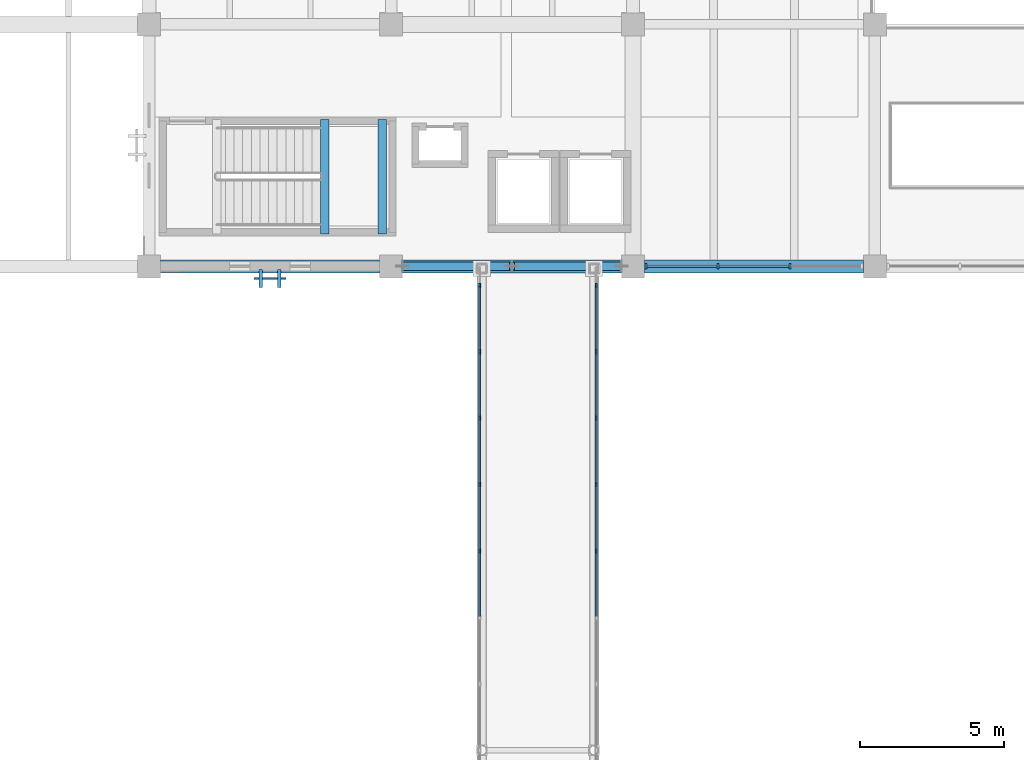
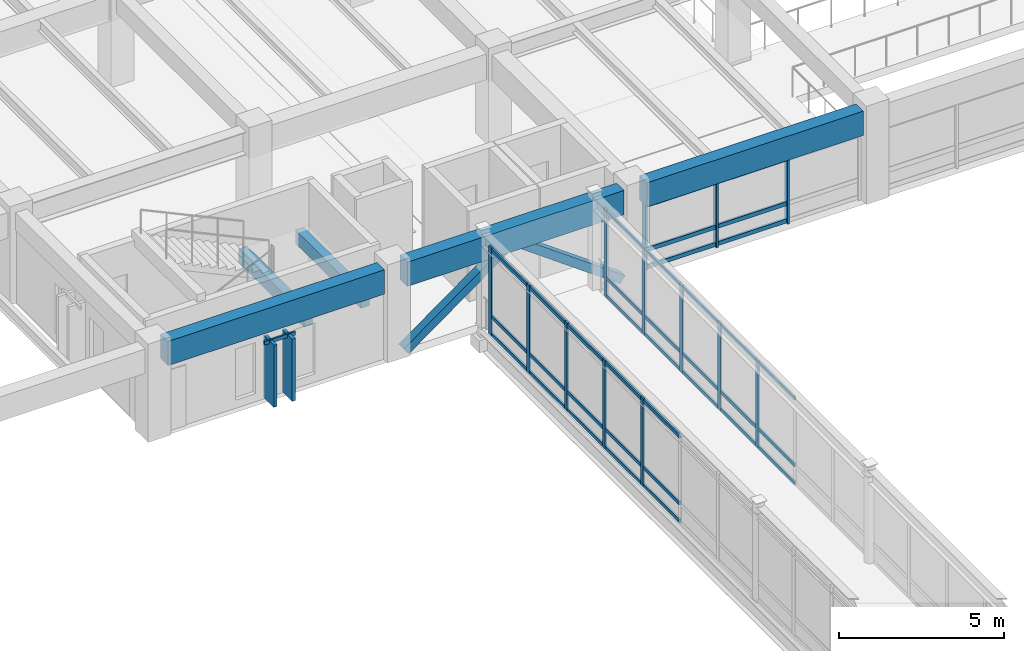
# One storey, part 35 of 118: 54 members, 5 beams, 4 elements without a shape of their own.
"""IFC4 building model written with IfcOpenShell, lengths in metres."""

from ifc_helpers import new_model, si_unit, direction, frame, origin, origin_2d, place, context, subcontext, project, spatial, rectangle, hollow_rectangle, extrude, material, material_profile, profile_set, type_object, element, aggregate, save


model = new_model("IFC4")

# Units and contexts
model_context = context("Model", 3, precision=1e-05, world=origin(), true_north=direction((0.0, 1.0)))
body_context = subcontext(model_context, "Body", "Model", "MODEL_VIEW")
ifc_project = project(units=[si_unit("LENGTHUNIT", "METRE"), si_unit("AREAUNIT", "SQUARE_METRE"), si_unit("VOLUMEUNIT", "CUBIC_METRE"), si_unit("PLANEANGLEUNIT", "RADIAN"), si_unit("MASSUNIT", "GRAM", prefix="KILO")], contexts=[model_context])

# Site, building, storey
site_placement = place(None, origin())
site = spatial("IfcSite", under=ifc_project, at=site_placement, CompositionType="ELEMENT")
building_placement = place(site_placement, origin())
building = spatial("IfcBuilding", under=site, at=building_placement, Name="Cumbredor Promenade Congress Hotel", CompositionType="ELEMENT")
storey_placement = place(building_placement, frame((0.0, 0.0, 3.919921875)))
storey = spatial("IfcBuildingStorey", under=building, at=storey_placement, Name="L01", CompositionType="ELEMENT", Elevation=3.919921875)

# Curtain wall, members
ifc_material_1 = material(Name="Thermally broken anodized aluminium and low-E glass", Category="aluminium")
curtain_wall_type_1 = type_object("IfcCurtainWallType", Name="Unitised Bridge Glazing Screen CW-05", PredefinedType="NOTDEFINED", material=ifc_material_1)
curtain_wall_1_placement = place(storey_placement, origin())
curtain_wall_1 = element("IfcCurtainWall", 1, at=curtain_wall_1_placement, inside=storey, type_object=curtain_wall_type_1, Name="L01 Central Reflecting-Pool Promenade Bridge West Glazing Screen", PredefinedType="NOTDEFINED")
ifc_material_2 = material(Name="Thermally broken anodized aluminium", Category="aluminium")
ifc_material_profile_1 = material_profile(ifc_material_2, rectangle(XDim=0.06494140625, YDim=0.159912109375, at=origin_2d()), Name="ALU MULLION 65x160")
ifc_profile_set_1 = profile_set([ifc_material_profile_1], Name="Thermally broken anodized aluminium")
member_type_1 = type_object("IfcMemberType", Name="Curtain Wall Mullion ML-01", PredefinedType="MULLION", material=ifc_profile_set_1)
member_1_placement = place(storey_placement, frame((103.8798828125, 74.1171875, -0.0078125), z_axis=(0.0, 0.0, 1.0), x_axis=(1.0, 0.0, 0.0)))
member_1 = element("IfcMember", 2, at=member_1_placement, type_object=member_type_1, Name="L01 Central Reflecting-Pool Promenade Bridge West Glazing Screen Mullion 11", PredefinedType="MULLION", context=body_context, shape_type="SweptSolid", body=[
    extrude(rectangle(XDim=0.06494140625, YDim=0.159912109375, at=origin_2d()), origin(), (0.0, 0.0, 1.0), 3.27587890625),
])
member_2_placement = place(storey_placement, frame((103.8798828125, 76.4228515625, -0.0078125), z_axis=(0.0, 0.0, 1.0), x_axis=(1.0, 0.0, 0.0)))
member_2 = element("IfcMember", 3, at=member_2_placement, type_object=member_type_1, Name="L01 Central Reflecting-Pool Promenade Bridge West Glazing Screen Mullion 12", PredefinedType="MULLION", context=body_context, shape_type="SweptSolid", body=[
    extrude(rectangle(XDim=0.06494140625, YDim=0.159912109375, at=origin_2d()), origin(), (0.0, 0.0, 1.0), 3.27587890625),
])
member_3_placement = place(storey_placement, frame((103.8798828125, 78.728515625, -0.0078125), z_axis=(0.0, 0.0, 1.0), x_axis=(1.0, 0.0, 0.0)))
member_3 = element("IfcMember", 4, at=member_3_placement, type_object=member_type_1, Name="L01 Central Reflecting-Pool Promenade Bridge West Glazing Screen Mullion 13", PredefinedType="MULLION", context=body_context, shape_type="SweptSolid", body=[
    extrude(rectangle(XDim=0.06494140625, YDim=0.159912109375, at=origin_2d()), origin(), (0.0, 0.0, 1.0), 3.27587890625),
])
member_4_placement = place(storey_placement, frame((103.8798828125, 81.0341796875, -0.0078125), z_axis=(0.0, 0.0, 1.0), x_axis=(1.0, 0.0, 0.0)))
member_4 = element("IfcMember", 5, at=member_4_placement, type_object=member_type_1, Name="L01 Central Reflecting-Pool Promenade Bridge West Glazing Screen Mullion 14", PredefinedType="MULLION", context=body_context, shape_type="SweptSolid", body=[
    extrude(rectangle(XDim=0.06494140625, YDim=0.159912109375, at=origin_2d()), origin(), (0.0, 0.0, 1.0), 3.27587890625),
])
member_5_placement = place(storey_placement, frame((103.8798828125, 83.340087890625, -0.0078125), z_axis=(0.0, 0.0, 1.0), x_axis=(1.0, 0.0, 0.0)))
member_5 = element("IfcMember", 6, at=member_5_placement, type_object=member_type_1, Name="L01 Central Reflecting-Pool Promenade Bridge West Glazing Screen Mullion 15", PredefinedType="MULLION", context=body_context, shape_type="SweptSolid", body=[
    extrude(rectangle(XDim=0.06494140625, YDim=0.159912109375, at=origin_2d()), origin(), (0.0, 0.0, 1.0), 3.27587890625),
])

curtain_wall_2_placement = place(storey_placement, origin())
curtain_wall_2 = element("IfcCurtainWall", 7, at=curtain_wall_2_placement, inside=storey, type_object=curtain_wall_type_1, Name="L01 Central Reflecting-Pool Promenade Bridge East Glazing Screen", PredefinedType="NOTDEFINED")
member_6_placement = place(storey_placement, frame((107.919921875, 74.1171875, -0.0078125), z_axis=(0.0, 0.0, 1.0), x_axis=(1.0, 0.0, 0.0)))
member_6 = element("IfcMember", 8, at=member_6_placement, type_object=member_type_1, Name="L01 Central Reflecting-Pool Promenade Bridge East Glazing Screen Mullion 11", PredefinedType="MULLION", context=body_context, shape_type="SweptSolid", body=[
    extrude(rectangle(XDim=0.06494140625, YDim=0.159912109375, at=origin_2d()), origin(), (0.0, 0.0, 1.0), 3.27587890625),
])
member_7_placement = place(storey_placement, frame((107.919921875, 76.4228515625, -0.0078125), z_axis=(0.0, 0.0, 1.0), x_axis=(1.0, 0.0, 0.0)))
member_7 = element("IfcMember", 9, at=member_7_placement, type_object=member_type_1, Name="L01 Central Reflecting-Pool Promenade Bridge East Glazing Screen Mullion 12", PredefinedType="MULLION", context=body_context, shape_type="SweptSolid", body=[
    extrude(rectangle(XDim=0.06494140625, YDim=0.159912109375, at=origin_2d()), origin(), (0.0, 0.0, 1.0), 3.27587890625),
])
member_8_placement = place(storey_placement, frame((107.919921875, 78.728515625, -0.0078125), z_axis=(0.0, 0.0, 1.0), x_axis=(1.0, 0.0, 0.0)))
member_8 = element("IfcMember", 10, at=member_8_placement, type_object=member_type_1, Name="L01 Central Reflecting-Pool Promenade Bridge East Glazing Screen Mullion 13", PredefinedType="MULLION", context=body_context, shape_type="SweptSolid", body=[
    extrude(rectangle(XDim=0.06494140625, YDim=0.159912109375, at=origin_2d()), origin(), (0.0, 0.0, 1.0), 3.27587890625),
])
member_9_placement = place(storey_placement, frame((107.919921875, 81.0341796875, -0.0078125), z_axis=(0.0, 0.0, 1.0), x_axis=(1.0, 0.0, 0.0)))
member_9 = element("IfcMember", 11, at=member_9_placement, type_object=member_type_1, Name="L01 Central Reflecting-Pool Promenade Bridge East Glazing Screen Mullion 14", PredefinedType="MULLION", context=body_context, shape_type="SweptSolid", body=[
    extrude(rectangle(XDim=0.06494140625, YDim=0.159912109375, at=origin_2d()), origin(), (0.0, 0.0, 1.0), 3.27587890625),
])
member_10_placement = place(storey_placement, frame((107.919921875, 83.340087890625, -0.0078125), z_axis=(0.0, 0.0, 1.0), x_axis=(1.0, 0.0, 0.0)))
member_10 = element("IfcMember", 12, at=member_10_placement, type_object=member_type_1, Name="L01 Central Reflecting-Pool Promenade Bridge East Glazing Screen Mullion 15", PredefinedType="MULLION", context=body_context, shape_type="SweptSolid", body=[
    extrude(rectangle(XDim=0.06494140625, YDim=0.159912109375, at=origin_2d()), origin(), (0.0, 0.0, 1.0), 3.27587890625),
])

curtain_wall_type_2 = type_object("IfcCurtainWallType", Name="Unitised Forum Curtain Wall CW-02", PredefinedType="NOTDEFINED", material=ifc_material_1)
curtain_wall_3_placement = place(storey_placement, origin())
curtain_wall_3 = element("IfcCurtainWall", 13, at=curtain_wall_3_placement, inside=storey, type_object=curtain_wall_type_2, Name="L01 Pre-Function and Breakout Meeting Forum South Curtain Wall 3", PredefinedType="NOTDEFINED")
ifc_material_profile_2 = material_profile(ifc_material_2, rectangle(XDim=0.074951171875, YDim=0.199951171875, at=origin_2d()), Name="ALU MULLION 75x200")
ifc_profile_set_2 = profile_set([ifc_material_profile_2], Name="Thermally broken anodized aluminium")
member_type_2 = type_object("IfcMemberType", Name="Curtain Wall Mullion ML-02", PredefinedType="MULLION", material=ifc_profile_set_2)
member_11_placement = place(storey_placement, frame((109.655029296875, 84.0, -0.0078125), z_axis=(0.0, 0.0, 1.0), x_axis=(1.0, 0.0, 0.0)))
member_11 = element("IfcMember", 14, at=member_11_placement, type_object=member_type_2, Name="L01 Pre-Function and Breakout Meeting Forum South Curtain Wall 3 Mullion 1", PredefinedType="MULLION", context=body_context, shape_type="SweptSolid", body=[
    extrude(rectangle(XDim=0.074951171875, YDim=0.199951171875, at=origin_2d()), origin(), (0.0, 0.0, 1.0), 2.4609375),
])
member_12_placement = place(storey_placement, frame((112.151611328125, 84.0, -0.0078125), z_axis=(0.0, 0.0, 1.0), x_axis=(1.0, 0.0, 0.0)))
member_12 = element("IfcMember", 15, at=member_12_placement, type_object=member_type_2, Name="L01 Pre-Function and Breakout Meeting Forum South Curtain Wall 3 Mullion 2", PredefinedType="MULLION", context=body_context, shape_type="SweptSolid", body=[
    extrude(rectangle(XDim=0.074951171875, YDim=0.199951171875, at=origin_2d()), origin(), (0.0, 0.0, 1.0), 2.4609375),
])
member_13_placement = place(storey_placement, frame((114.648193359375, 84.0, -0.0078125), z_axis=(0.0, 0.0, 1.0), x_axis=(1.0, 0.0, 0.0)))
member_13 = element("IfcMember", 16, at=member_13_placement, type_object=member_type_2, Name="L01 Pre-Function and Breakout Meeting Forum South Curtain Wall 3 Mullion 3", PredefinedType="MULLION", context=body_context, shape_type="SweptSolid", body=[
    extrude(rectangle(XDim=0.074951171875, YDim=0.199951171875, at=origin_2d()), origin(), (0.0, 0.0, 1.0), 2.4609375),
])

# Curtain wall, member
curtain_wall_type_3 = type_object("IfcCurtainWallType", Name="Solar Brise-Soleil Screen Assembly CW-07", PredefinedType="NOTDEFINED", material=ifc_material_1)
curtain_wall_4_placement = place(storey_placement, origin())
curtain_wall_4 = element("IfcCurtainWall", 17, at=curtain_wall_4_placement, inside=storey, type_object=curtain_wall_type_3, Name="L01 Pier Brise-Soleil Screen 0226", PredefinedType="NOTDEFINED")
ifc_material_profile_3 = material_profile(ifc_material_2, rectangle(XDim=0.06494140625, YDim=0.1298828125, at=origin_2d()), Name="ALU TRANSOM 65x130")
ifc_profile_set_3 = profile_set([ifc_material_profile_3], Name="Thermally broken anodized aluminium")
member_type_3 = type_object("IfcMemberType", Name="Curtain Wall Transom TR-01", PredefinedType="USERDEFINED", material=ifc_profile_set_3)
member_14_placement = place(storey_placement, frame((96.050048828125, 83.577392578125, 2.28515625), z_axis=(1.0, 0.0, 0.0), x_axis=(0.0, 1.0, 0.0)))
member_14 = element("IfcMember", 18, at=member_14_placement, type_object=member_type_3, Name="L01 Pier Brise-Soleil Header 0228", ObjectType="TRANSOM", PredefinedType="USERDEFINED", context=body_context, shape_type="SweptSolid", body=[
    extrude(rectangle(XDim=0.06494140625, YDim=0.1298828125, at=origin_2d()), origin(), (0.0, 0.0, 1.0), 1.099853515625),
])

# Member
member_15_placement = place(storey_placement, frame((103.8798828125, 71.843994140625, 0.06005859375), z_axis=(0.0, 1.0, 0.0), x_axis=(-1.0, 0.0, 0.0)))
member_15 = element("IfcMember", 19, at=member_15_placement, type_object=member_type_3, Name="L01 Central Reflecting-Pool Promenade Bridge West Glazing Screen Transom 10.1", ObjectType="TRANSOM", PredefinedType="USERDEFINED", context=body_context, shape_type="SweptSolid", body=[
    extrude(rectangle(XDim=0.06494140625, YDim=0.1298828125, at=origin_2d()), origin(), (0.0, 0.0, 1.0), 2.24072265625),
])

member_16_placement = place(storey_placement, frame((103.8798828125, 71.843994140625, 0.719970703125), z_axis=(0.0, 1.0, 0.0), x_axis=(-1.0, 0.0, 0.0)))
member_16 = element("IfcMember", 20, at=member_16_placement, type_object=member_type_3, Name="L01 Central Reflecting-Pool Promenade Bridge West Glazing Screen Transom 10.2", ObjectType="TRANSOM", PredefinedType="USERDEFINED", context=body_context, shape_type="SweptSolid", body=[
    extrude(rectangle(XDim=0.06494140625, YDim=0.1298828125, at=origin_2d()), origin(), (0.0, 0.0, 1.0), 2.24072265625),
])

member_17_placement = place(storey_placement, frame((103.8798828125, 71.843994140625, 3.190185546875), z_axis=(0.0, 1.0, 0.0), x_axis=(-1.0, 0.0, 0.0)))
member_17 = element("IfcMember", 21, at=member_17_placement, type_object=member_type_3, Name="L01 Central Reflecting-Pool Promenade Bridge West Glazing Screen Transom 10.3", ObjectType="TRANSOM", PredefinedType="USERDEFINED", context=body_context, shape_type="SweptSolid", body=[
    extrude(rectangle(XDim=0.06494140625, YDim=0.1298828125, at=origin_2d()), origin(), (0.0, 0.0, 1.0), 2.24072265625),
])

member_18_placement = place(storey_placement, frame((103.8798828125, 74.149658203125, 0.06005859375), z_axis=(0.0, 1.0, 0.0), x_axis=(-1.0, 0.0, 0.0)))
member_18 = element("IfcMember", 22, at=member_18_placement, type_object=member_type_3, Name="L01 Central Reflecting-Pool Promenade Bridge West Glazing Screen Transom 11.1", ObjectType="TRANSOM", PredefinedType="USERDEFINED", context=body_context, shape_type="SweptSolid", body=[
    extrude(rectangle(XDim=0.06494140625, YDim=0.1298828125, at=origin_2d()), origin(), (0.0, 0.0, 1.0), 2.24072265625),
])

member_19_placement = place(storey_placement, frame((103.8798828125, 74.149658203125, 0.719970703125), z_axis=(0.0, 1.0, 0.0), x_axis=(-1.0, 0.0, 0.0)))
member_19 = element("IfcMember", 23, at=member_19_placement, type_object=member_type_3, Name="L01 Central Reflecting-Pool Promenade Bridge West Glazing Screen Transom 11.2", ObjectType="TRANSOM", PredefinedType="USERDEFINED", context=body_context, shape_type="SweptSolid", body=[
    extrude(rectangle(XDim=0.06494140625, YDim=0.1298828125, at=origin_2d()), origin(), (0.0, 0.0, 1.0), 2.24072265625),
])

member_20_placement = place(storey_placement, frame((103.8798828125, 74.149658203125, 3.190185546875), z_axis=(0.0, 1.0, 0.0), x_axis=(-1.0, 0.0, 0.0)))
member_20 = element("IfcMember", 24, at=member_20_placement, type_object=member_type_3, Name="L01 Central Reflecting-Pool Promenade Bridge West Glazing Screen Transom 11.3", ObjectType="TRANSOM", PredefinedType="USERDEFINED", context=body_context, shape_type="SweptSolid", body=[
    extrude(rectangle(XDim=0.06494140625, YDim=0.1298828125, at=origin_2d()), origin(), (0.0, 0.0, 1.0), 2.24072265625),
])

member_21_placement = place(storey_placement, frame((103.8798828125, 76.455322265625, 0.06005859375), z_axis=(0.0, 1.0, 0.0), x_axis=(-1.0, 0.0, 0.0)))
member_21 = element("IfcMember", 25, at=member_21_placement, type_object=member_type_3, Name="L01 Central Reflecting-Pool Promenade Bridge West Glazing Screen Transom 12.1", ObjectType="TRANSOM", PredefinedType="USERDEFINED", context=body_context, shape_type="SweptSolid", body=[
    extrude(rectangle(XDim=0.06494140625, YDim=0.1298828125, at=origin_2d()), origin(), (0.0, 0.0, 1.0), 2.24072265625),
])

member_22_placement = place(storey_placement, frame((103.8798828125, 76.455322265625, 0.719970703125), z_axis=(0.0, 1.0, 0.0), x_axis=(-1.0, 0.0, 0.0)))
member_22 = element("IfcMember", 26, at=member_22_placement, type_object=member_type_3, Name="L01 Central Reflecting-Pool Promenade Bridge West Glazing Screen Transom 12.2", ObjectType="TRANSOM", PredefinedType="USERDEFINED", context=body_context, shape_type="SweptSolid", body=[
    extrude(rectangle(XDim=0.06494140625, YDim=0.1298828125, at=origin_2d()), origin(), (0.0, 0.0, 1.0), 2.24072265625),
])

member_23_placement = place(storey_placement, frame((103.8798828125, 76.455322265625, 3.190185546875), z_axis=(0.0, 1.0, 0.0), x_axis=(-1.0, 0.0, 0.0)))
member_23 = element("IfcMember", 27, at=member_23_placement, type_object=member_type_3, Name="L01 Central Reflecting-Pool Promenade Bridge West Glazing Screen Transom 12.3", ObjectType="TRANSOM", PredefinedType="USERDEFINED", context=body_context, shape_type="SweptSolid", body=[
    extrude(rectangle(XDim=0.06494140625, YDim=0.1298828125, at=origin_2d()), origin(), (0.0, 0.0, 1.0), 2.24072265625),
])

member_24_placement = place(storey_placement, frame((103.8798828125, 78.760986328125, 0.06005859375), z_axis=(0.0, 1.0, 0.0), x_axis=(-1.0, 0.0, 0.0)))
member_24 = element("IfcMember", 28, at=member_24_placement, type_object=member_type_3, Name="L01 Central Reflecting-Pool Promenade Bridge West Glazing Screen Transom 13.1", ObjectType="TRANSOM", PredefinedType="USERDEFINED", context=body_context, shape_type="SweptSolid", body=[
    extrude(rectangle(XDim=0.06494140625, YDim=0.1298828125, at=origin_2d()), origin(), (0.0, 0.0, 1.0), 2.24072265625),
])

member_25_placement = place(storey_placement, frame((103.8798828125, 78.760986328125, 0.719970703125), z_axis=(0.0, 1.0, 0.0), x_axis=(-1.0, 0.0, 0.0)))
member_25 = element("IfcMember", 29, at=member_25_placement, type_object=member_type_3, Name="L01 Central Reflecting-Pool Promenade Bridge West Glazing Screen Transom 13.2", ObjectType="TRANSOM", PredefinedType="USERDEFINED", context=body_context, shape_type="SweptSolid", body=[
    extrude(rectangle(XDim=0.06494140625, YDim=0.1298828125, at=origin_2d()), origin(), (0.0, 0.0, 1.0), 2.24072265625),
])

member_26_placement = place(storey_placement, frame((103.8798828125, 78.760986328125, 3.190185546875), z_axis=(0.0, 1.0, 0.0), x_axis=(-1.0, 0.0, 0.0)))
member_26 = element("IfcMember", 30, at=member_26_placement, type_object=member_type_3, Name="L01 Central Reflecting-Pool Promenade Bridge West Glazing Screen Transom 13.3", ObjectType="TRANSOM", PredefinedType="USERDEFINED", context=body_context, shape_type="SweptSolid", body=[
    extrude(rectangle(XDim=0.06494140625, YDim=0.1298828125, at=origin_2d()), origin(), (0.0, 0.0, 1.0), 2.24072265625),
])

member_27_placement = place(storey_placement, frame((103.8798828125, 81.06689453125, 0.06005859375), z_axis=(0.0, 1.0, 0.0), x_axis=(-1.0, 0.0, 0.0)))
member_27 = element("IfcMember", 31, at=member_27_placement, type_object=member_type_3, Name="L01 Central Reflecting-Pool Promenade Bridge West Glazing Screen Transom 14.1", ObjectType="TRANSOM", PredefinedType="USERDEFINED", context=body_context, shape_type="SweptSolid", body=[
    extrude(rectangle(XDim=0.06494140625, YDim=0.1298828125, at=origin_2d()), origin(), (0.0, 0.0, 1.0), 2.24072265625),
])

member_28_placement = place(storey_placement, frame((103.8798828125, 81.06689453125, 0.719970703125), z_axis=(0.0, 1.0, 0.0), x_axis=(-1.0, 0.0, 0.0)))
member_28 = element("IfcMember", 32, at=member_28_placement, type_object=member_type_3, Name="L01 Central Reflecting-Pool Promenade Bridge West Glazing Screen Transom 14.2", ObjectType="TRANSOM", PredefinedType="USERDEFINED", context=body_context, shape_type="SweptSolid", body=[
    extrude(rectangle(XDim=0.06494140625, YDim=0.1298828125, at=origin_2d()), origin(), (0.0, 0.0, 1.0), 2.24072265625),
])

member_29_placement = place(storey_placement, frame((103.8798828125, 81.06689453125, 3.190185546875), z_axis=(0.0, 1.0, 0.0), x_axis=(-1.0, 0.0, 0.0)))
member_29 = element("IfcMember", 33, at=member_29_placement, type_object=member_type_3, Name="L01 Central Reflecting-Pool Promenade Bridge West Glazing Screen Transom 14.3", ObjectType="TRANSOM", PredefinedType="USERDEFINED", context=body_context, shape_type="SweptSolid", body=[
    extrude(rectangle(XDim=0.06494140625, YDim=0.1298828125, at=origin_2d()), origin(), (0.0, 0.0, 1.0), 2.24072265625),
])

aggregate(curtain_wall_1, [member_1, member_2, member_3, member_4, member_5, member_15, member_16, member_17, member_18, member_19, member_20, member_21, member_22, member_23, member_24, member_25, member_26, member_27, member_28, member_29])

member_30_placement = place(storey_placement, frame((107.919921875, 71.843994140625, 0.06005859375), z_axis=(0.0, 1.0, 0.0), x_axis=(-1.0, 0.0, 0.0)))
member_30 = element("IfcMember", 34, at=member_30_placement, type_object=member_type_3, Name="L01 Central Reflecting-Pool Promenade Bridge East Glazing Screen Transom 10.1", ObjectType="TRANSOM", PredefinedType="USERDEFINED", context=body_context, shape_type="SweptSolid", body=[
    extrude(rectangle(XDim=0.06494140625, YDim=0.1298828125, at=origin_2d()), origin(), (0.0, 0.0, 1.0), 2.24072265625),
])

member_31_placement = place(storey_placement, frame((107.919921875, 71.843994140625, 0.719970703125), z_axis=(0.0, 1.0, 0.0), x_axis=(-1.0, 0.0, 0.0)))
member_31 = element("IfcMember", 35, at=member_31_placement, type_object=member_type_3, Name="L01 Central Reflecting-Pool Promenade Bridge East Glazing Screen Transom 10.2", ObjectType="TRANSOM", PredefinedType="USERDEFINED", context=body_context, shape_type="SweptSolid", body=[
    extrude(rectangle(XDim=0.06494140625, YDim=0.1298828125, at=origin_2d()), origin(), (0.0, 0.0, 1.0), 2.24072265625),
])

member_32_placement = place(storey_placement, frame((107.919921875, 71.843994140625, 3.190185546875), z_axis=(0.0, 1.0, 0.0), x_axis=(-1.0, 0.0, 0.0)))
member_32 = element("IfcMember", 36, at=member_32_placement, type_object=member_type_3, Name="L01 Central Reflecting-Pool Promenade Bridge East Glazing Screen Transom 10.3", ObjectType="TRANSOM", PredefinedType="USERDEFINED", context=body_context, shape_type="SweptSolid", body=[
    extrude(rectangle(XDim=0.06494140625, YDim=0.1298828125, at=origin_2d()), origin(), (0.0, 0.0, 1.0), 2.24072265625),
])

member_33_placement = place(storey_placement, frame((107.919921875, 74.149658203125, 0.06005859375), z_axis=(0.0, 1.0, 0.0), x_axis=(-1.0, 0.0, 0.0)))
member_33 = element("IfcMember", 37, at=member_33_placement, type_object=member_type_3, Name="L01 Central Reflecting-Pool Promenade Bridge East Glazing Screen Transom 11.1", ObjectType="TRANSOM", PredefinedType="USERDEFINED", context=body_context, shape_type="SweptSolid", body=[
    extrude(rectangle(XDim=0.06494140625, YDim=0.1298828125, at=origin_2d()), origin(), (0.0, 0.0, 1.0), 2.24072265625),
])

member_34_placement = place(storey_placement, frame((107.919921875, 74.149658203125, 0.719970703125), z_axis=(0.0, 1.0, 0.0), x_axis=(-1.0, 0.0, 0.0)))
member_34 = element("IfcMember", 38, at=member_34_placement, type_object=member_type_3, Name="L01 Central Reflecting-Pool Promenade Bridge East Glazing Screen Transom 11.2", ObjectType="TRANSOM", PredefinedType="USERDEFINED", context=body_context, shape_type="SweptSolid", body=[
    extrude(rectangle(XDim=0.06494140625, YDim=0.1298828125, at=origin_2d()), origin(), (0.0, 0.0, 1.0), 2.24072265625),
])

member_35_placement = place(storey_placement, frame((107.919921875, 74.149658203125, 3.190185546875), z_axis=(0.0, 1.0, 0.0), x_axis=(-1.0, 0.0, 0.0)))
member_35 = element("IfcMember", 39, at=member_35_placement, type_object=member_type_3, Name="L01 Central Reflecting-Pool Promenade Bridge East Glazing Screen Transom 11.3", ObjectType="TRANSOM", PredefinedType="USERDEFINED", context=body_context, shape_type="SweptSolid", body=[
    extrude(rectangle(XDim=0.06494140625, YDim=0.1298828125, at=origin_2d()), origin(), (0.0, 0.0, 1.0), 2.24072265625),
])

member_36_placement = place(storey_placement, frame((107.919921875, 76.455322265625, 0.06005859375), z_axis=(0.0, 1.0, 0.0), x_axis=(-1.0, 0.0, 0.0)))
member_36 = element("IfcMember", 40, at=member_36_placement, type_object=member_type_3, Name="L01 Central Reflecting-Pool Promenade Bridge East Glazing Screen Transom 12.1", ObjectType="TRANSOM", PredefinedType="USERDEFINED", context=body_context, shape_type="SweptSolid", body=[
    extrude(rectangle(XDim=0.06494140625, YDim=0.1298828125, at=origin_2d()), origin(), (0.0, 0.0, 1.0), 2.24072265625),
])

member_37_placement = place(storey_placement, frame((107.919921875, 76.455322265625, 0.719970703125), z_axis=(0.0, 1.0, 0.0), x_axis=(-1.0, 0.0, 0.0)))
member_37 = element("IfcMember", 41, at=member_37_placement, type_object=member_type_3, Name="L01 Central Reflecting-Pool Promenade Bridge East Glazing Screen Transom 12.2", ObjectType="TRANSOM", PredefinedType="USERDEFINED", context=body_context, shape_type="SweptSolid", body=[
    extrude(rectangle(XDim=0.06494140625, YDim=0.1298828125, at=origin_2d()), origin(), (0.0, 0.0, 1.0), 2.24072265625),
])

member_38_placement = place(storey_placement, frame((107.919921875, 76.455322265625, 3.190185546875), z_axis=(0.0, 1.0, 0.0), x_axis=(-1.0, 0.0, 0.0)))
member_38 = element("IfcMember", 42, at=member_38_placement, type_object=member_type_3, Name="L01 Central Reflecting-Pool Promenade Bridge East Glazing Screen Transom 12.3", ObjectType="TRANSOM", PredefinedType="USERDEFINED", context=body_context, shape_type="SweptSolid", body=[
    extrude(rectangle(XDim=0.06494140625, YDim=0.1298828125, at=origin_2d()), origin(), (0.0, 0.0, 1.0), 2.24072265625),
])

member_39_placement = place(storey_placement, frame((107.919921875, 78.760986328125, 0.06005859375), z_axis=(0.0, 1.0, 0.0), x_axis=(-1.0, 0.0, 0.0)))
member_39 = element("IfcMember", 43, at=member_39_placement, type_object=member_type_3, Name="L01 Central Reflecting-Pool Promenade Bridge East Glazing Screen Transom 13.1", ObjectType="TRANSOM", PredefinedType="USERDEFINED", context=body_context, shape_type="SweptSolid", body=[
    extrude(rectangle(XDim=0.06494140625, YDim=0.1298828125, at=origin_2d()), origin(), (0.0, 0.0, 1.0), 2.24072265625),
])

member_40_placement = place(storey_placement, frame((107.919921875, 78.760986328125, 0.719970703125), z_axis=(0.0, 1.0, 0.0), x_axis=(-1.0, 0.0, 0.0)))
member_40 = element("IfcMember", 44, at=member_40_placement, type_object=member_type_3, Name="L01 Central Reflecting-Pool Promenade Bridge East Glazing Screen Transom 13.2", ObjectType="TRANSOM", PredefinedType="USERDEFINED", context=body_context, shape_type="SweptSolid", body=[
    extrude(rectangle(XDim=0.06494140625, YDim=0.1298828125, at=origin_2d()), origin(), (0.0, 0.0, 1.0), 2.24072265625),
])

member_41_placement = place(storey_placement, frame((107.919921875, 78.760986328125, 3.190185546875), z_axis=(0.0, 1.0, 0.0), x_axis=(-1.0, 0.0, 0.0)))
member_41 = element("IfcMember", 45, at=member_41_placement, type_object=member_type_3, Name="L01 Central Reflecting-Pool Promenade Bridge East Glazing Screen Transom 13.3", ObjectType="TRANSOM", PredefinedType="USERDEFINED", context=body_context, shape_type="SweptSolid", body=[
    extrude(rectangle(XDim=0.06494140625, YDim=0.1298828125, at=origin_2d()), origin(), (0.0, 0.0, 1.0), 2.24072265625),
])

member_42_placement = place(storey_placement, frame((107.919921875, 81.06689453125, 0.06005859375), z_axis=(0.0, 1.0, 0.0), x_axis=(-1.0, 0.0, 0.0)))
member_42 = element("IfcMember", 46, at=member_42_placement, type_object=member_type_3, Name="L01 Central Reflecting-Pool Promenade Bridge East Glazing Screen Transom 14.1", ObjectType="TRANSOM", PredefinedType="USERDEFINED", context=body_context, shape_type="SweptSolid", body=[
    extrude(rectangle(XDim=0.06494140625, YDim=0.1298828125, at=origin_2d()), origin(), (0.0, 0.0, 1.0), 2.24072265625),
])

member_43_placement = place(storey_placement, frame((107.919921875, 81.06689453125, 0.719970703125), z_axis=(0.0, 1.0, 0.0), x_axis=(-1.0, 0.0, 0.0)))
member_43 = element("IfcMember", 47, at=member_43_placement, type_object=member_type_3, Name="L01 Central Reflecting-Pool Promenade Bridge East Glazing Screen Transom 14.2", ObjectType="TRANSOM", PredefinedType="USERDEFINED", context=body_context, shape_type="SweptSolid", body=[
    extrude(rectangle(XDim=0.06494140625, YDim=0.1298828125, at=origin_2d()), origin(), (0.0, 0.0, 1.0), 2.24072265625),
])

member_44_placement = place(storey_placement, frame((107.919921875, 81.06689453125, 3.190185546875), z_axis=(0.0, 1.0, 0.0), x_axis=(-1.0, 0.0, 0.0)))
member_44 = element("IfcMember", 48, at=member_44_placement, type_object=member_type_3, Name="L01 Central Reflecting-Pool Promenade Bridge East Glazing Screen Transom 14.3", ObjectType="TRANSOM", PredefinedType="USERDEFINED", context=body_context, shape_type="SweptSolid", body=[
    extrude(rectangle(XDim=0.06494140625, YDim=0.1298828125, at=origin_2d()), origin(), (0.0, 0.0, 1.0), 2.24072265625),
])

aggregate(curtain_wall_2, [member_6, member_7, member_8, member_9, member_10, member_30, member_31, member_32, member_33, member_34, member_35, member_36, member_37, member_38, member_39, member_40, member_41, member_42, member_43, member_44])

ifc_material_profile_4 = material_profile(ifc_material_2, rectangle(XDim=0.074951171875, YDim=0.14990234375, at=origin_2d()), Name="ALU TRANSOM 75x150")
ifc_profile_set_4 = profile_set([ifc_material_profile_4], Name="Thermally broken anodized aluminium")
member_type_4 = type_object("IfcMemberType", Name="Curtain Wall Transom TR-02", PredefinedType="USERDEFINED", material=ifc_profile_set_4)
member_45_placement = place(storey_placement, frame((109.6923828125, 84.0, 0.080078125), z_axis=(1.0, 0.0, 0.0), x_axis=(0.0, 1.0, 0.0)))
member_45 = element("IfcMember", 49, at=member_45_placement, type_object=member_type_4, Name="L01 Pre-Function and Breakout Meeting Forum South Curtain Wall 3 Transom 1.1", ObjectType="TRANSOM", PredefinedType="USERDEFINED", context=body_context, shape_type="SweptSolid", body=[
    extrude(rectangle(XDim=0.074951171875, YDim=0.14990234375, at=origin_2d()), origin(), (0.0, 0.0, 1.0), 2.421875),
])

member_46_placement = place(storey_placement, frame((109.6923828125, 84.0, 0.719970703125), z_axis=(1.0, 0.0, 0.0), x_axis=(0.0, 1.0, 0.0)))
member_46 = element("IfcMember", 50, at=member_46_placement, type_object=member_type_4, Name="L01 Pre-Function and Breakout Meeting Forum South Curtain Wall 3 Transom 1.2", ObjectType="TRANSOM", PredefinedType="USERDEFINED", context=body_context, shape_type="SweptSolid", body=[
    extrude(rectangle(XDim=0.074951171875, YDim=0.14990234375, at=origin_2d()), origin(), (0.0, 0.0, 1.0), 2.421875),
])

member_47_placement = place(storey_placement, frame((109.6923828125, 84.0, 2.3701171875), z_axis=(1.0, 0.0, 0.0), x_axis=(0.0, 1.0, 0.0)))
member_47 = element("IfcMember", 51, at=member_47_placement, type_object=member_type_4, Name="L01 Pre-Function and Breakout Meeting Forum South Curtain Wall 3 Transom 1.3", ObjectType="TRANSOM", PredefinedType="USERDEFINED", context=body_context, shape_type="SweptSolid", body=[
    extrude(rectangle(XDim=0.074951171875, YDim=0.14990234375, at=origin_2d()), origin(), (0.0, 0.0, 1.0), 2.421875),
])

member_48_placement = place(storey_placement, frame((112.189208984375, 84.0, 0.080078125), z_axis=(1.0, 0.0, 0.0), x_axis=(0.0, 1.0, 0.0)))
member_48 = element("IfcMember", 52, at=member_48_placement, type_object=member_type_4, Name="L01 Pre-Function and Breakout Meeting Forum South Curtain Wall 3 Transom 2.1", ObjectType="TRANSOM", PredefinedType="USERDEFINED", context=body_context, shape_type="SweptSolid", body=[
    extrude(rectangle(XDim=0.074951171875, YDim=0.14990234375, at=origin_2d()), origin(), (0.0, 0.0, 1.0), 2.421630859375),
])

member_49_placement = place(storey_placement, frame((112.189208984375, 84.0, 0.719970703125), z_axis=(1.0, 0.0, 0.0), x_axis=(0.0, 1.0, 0.0)))
member_49 = element("IfcMember", 53, at=member_49_placement, type_object=member_type_4, Name="L01 Pre-Function and Breakout Meeting Forum South Curtain Wall 3 Transom 2.2", ObjectType="TRANSOM", PredefinedType="USERDEFINED", context=body_context, shape_type="SweptSolid", body=[
    extrude(rectangle(XDim=0.074951171875, YDim=0.14990234375, at=origin_2d()), origin(), (0.0, 0.0, 1.0), 2.421630859375),
])

member_50_placement = place(storey_placement, frame((112.189208984375, 84.0, 2.3701171875), z_axis=(1.0, 0.0, 0.0), x_axis=(0.0, 1.0, 0.0)))
member_50 = element("IfcMember", 54, at=member_50_placement, type_object=member_type_4, Name="L01 Pre-Function and Breakout Meeting Forum South Curtain Wall 3 Transom 2.3", ObjectType="TRANSOM", PredefinedType="USERDEFINED", context=body_context, shape_type="SweptSolid", body=[
    extrude(rectangle(XDim=0.074951171875, YDim=0.14990234375, at=origin_2d()), origin(), (0.0, 0.0, 1.0), 2.421630859375),
])

aggregate(curtain_wall_3, [member_11, member_12, member_13, member_45, member_46, member_47, member_48, member_49, member_50])

# Beams
ifc_material_3 = material(Name="Concrete C40/50", Category="concrete")
ifc_material_profile_5 = material_profile(ifc_material_3, rectangle(XDim=0.300048828125, YDim=0.5, at=origin_2d()), Name="RC LINTEL 300x500")
ifc_profile_set_5 = profile_set([ifc_material_profile_5], Name="Concrete C40/50")
beam_type_1 = type_object("IfcBeamType", Name="LN-RC-300x500", PredefinedType="LINTEL", material=ifc_profile_set_5)
for number, where, z_axis, x_axis, name in (
    (55, (100.5, 85.1298828125, 1.3701171875), (0.0, 1.0, 0.0), (-1.0, 0.0, 0.0), "L01 Stair ST-13 Landing Ledger Beam E"),
    (56, (98.5, 85.1298828125, 1.3701171875), (0.0, 1.0, 0.0), (-1.0, 0.0, 0.0), "L01 Stair ST-13 Landing Ledger Beam W"),
):
    element("IfcBeam", number, at=place(storey_placement, frame(where, z_axis=z_axis, x_axis=x_axis)), inside=storey, type_object=beam_type_1, Name=name, PredefinedType="LINTEL", context=body_context, shape_type="SweptSolid", body=[
        extrude(rectangle(XDim=0.300048828125, YDim=0.5, at=origin_2d()), origin(), (0.0, 0.0, 1.0), 3.97021484375),
    ])
ifc_material_profile_6 = material_profile(ifc_material_3, rectangle(XDim=0.449951171875, YDim=0.89990234375, at=origin_2d()), Name="RC SPANDREL 450x900")
ifc_profile_set_6 = profile_set([ifc_material_profile_6], Name="Concrete C40/50")
beam_type_2 = type_object("IfcBeamType", Name="SP-RC-450x900", PredefinedType="SPANDREL", material=ifc_profile_set_6)
beam_1_placement = place(storey_placement, frame((92.800048828125, 84.0, 2.91015625), z_axis=(1.0, 0.0, 0.0), x_axis=(0.0, 1.0, 0.0)))
element("IfcBeam", 57, at=beam_1_placement, inside=storey, type_object=beam_type_2, Name="L02 X-Grid Beam 172", PredefinedType="SPANDREL", context=body_context, shape_type="SweptSolid", body=[
    extrude(rectangle(XDim=0.449951171875, YDim=0.89990234375, at=origin_2d()), origin(), (0.0, 0.0, 1.0), 7.599853515625),
])
beam_2_placement = place(storey_placement, frame((101.199951171875, 84.0, 2.91015625), z_axis=(1.0, 0.0, 0.0), x_axis=(0.0, 1.0, 0.0)))
element("IfcBeam", 58, at=beam_2_placement, inside=storey, type_object=beam_type_2, Name="L02 X-Grid Beam 187", PredefinedType="SPANDREL", context=body_context, shape_type="SweptSolid", body=[
    extrude(rectangle(XDim=0.449951171875, YDim=0.89990234375, at=origin_2d()), origin(), (0.0, 0.0, 1.0), 7.60009765625),
])
beam_3_placement = place(storey_placement, frame((109.60009765625, 84.0, 2.91015625), z_axis=(1.0, 0.0, 0.0), x_axis=(0.0, 1.0, 0.0)))
element("IfcBeam", 59, at=beam_3_placement, inside=storey, type_object=beam_type_2, Name="L02 X-Grid Beam 199", PredefinedType="SPANDREL", context=body_context, shape_type="SweptSolid", body=[
    extrude(rectangle(XDim=0.449951171875, YDim=0.89990234375, at=origin_2d()), origin(), (0.0, 0.0, 1.0), 7.599853515625),
])

# Members
ifc_material_4 = material(Name="Steel ASTM A500 Grade C", Category="steel")
ifc_material_profile_7 = material_profile(ifc_material_4, hollow_rectangle(XDim=0.300048828125, YDim=0.300048828125, WallThickness=0.01611328125, at=origin_2d()), Name="HSS 300x300x16")
ifc_profile_set_7 = profile_set([ifc_material_profile_7], Name="Steel ASTM A500 Grade C")
member_type_5 = type_object("IfcMemberType", Name="Seismic Frame Brace CBF-1", PredefinedType="BRACE", material=ifc_profile_set_7)
for number, where, z_axis, x_axis, name in (
    (60, (101.199951171875, 84.0, 0.0), (0.810120271949, 0.0, 0.586263716238), (0.0, 1.0, 0.0), "L01 Chevron Seismic Brace 16A"),
    (61, (108.800048828125, 84.0, 0.0), (-0.810120271949, 0.0, 0.586263716238), (0.0, -1.0, 0.0), "L01 Chevron Seismic Brace 16B"),
):
    element("IfcMember", number, at=place(storey_placement, frame(where, z_axis=z_axis, x_axis=x_axis)), inside=storey, type_object=member_type_5, Name=name, PredefinedType="BRACE", context=body_context, shape_type="SweptSolid", body=[
        extrude(hollow_rectangle(XDim=0.300048828125, YDim=0.300048828125, WallThickness=0.01611328125, at=origin_2d()), origin(), (0.0, 0.0, 1.0), 4.690673828125),
    ])

# Member
ifc_material_profile_8 = material_profile(ifc_material_2, rectangle(XDim=0.110107421875, YDim=0.6201171875, at=origin_2d()), Name="ARCH FIN 110x620")
ifc_profile_set_8 = profile_set([ifc_material_profile_8], Name="Thermally broken anodized aluminium")
member_type_6 = type_object("IfcMemberType", Name="Vertical Bronze Brise-Soleil Fin BSF-02 110x620", PredefinedType="USERDEFINED", material=ifc_profile_set_8)
member_51_placement = place(storey_placement, frame((96.280029296875, 83.577392578125, 0.02001953125), z_axis=(0.0, 0.0, 1.0), x_axis=(1.0, 0.0, 0.0)))
member_51 = element("IfcMember", 62, at=member_51_placement, type_object=member_type_6, Name="L01 Pier Brise-Soleil Fin 0227", ObjectType="SOLAR FIN", PredefinedType="USERDEFINED", context=body_context, shape_type="SweptSolid", body=[
    extrude(rectangle(XDim=0.110107421875, YDim=0.6201171875, at=origin_2d()), origin(), (0.0, 0.0, 1.0), 2.30517578125),
])

member_52_placement = place(storey_placement, frame((96.919921875, 83.577392578125, 0.02001953125), z_axis=(0.0, 0.0, 1.0), x_axis=(1.0, 0.0, 0.0)))
member_52 = element("IfcMember", 63, at=member_52_placement, type_object=member_type_6, Name="L01 Pier Brise-Soleil Fin 0228", ObjectType="SOLAR FIN", PredefinedType="USERDEFINED", context=body_context, shape_type="SweptSolid", body=[
    extrude(rectangle(XDim=0.110107421875, YDim=0.6201171875, at=origin_2d()), origin(), (0.0, 0.0, 1.0), 2.30517578125),
])

aggregate(curtain_wall_4, [member_51, member_52, member_14])

save(model, "model.ifc")
